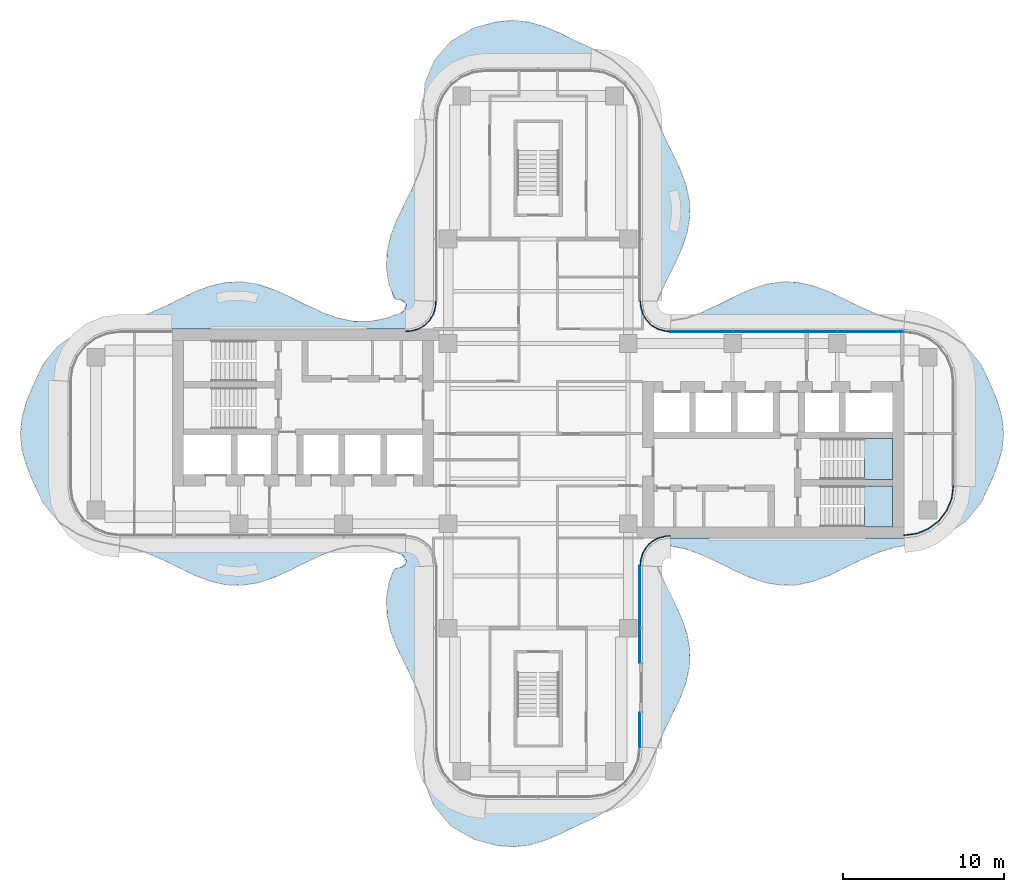
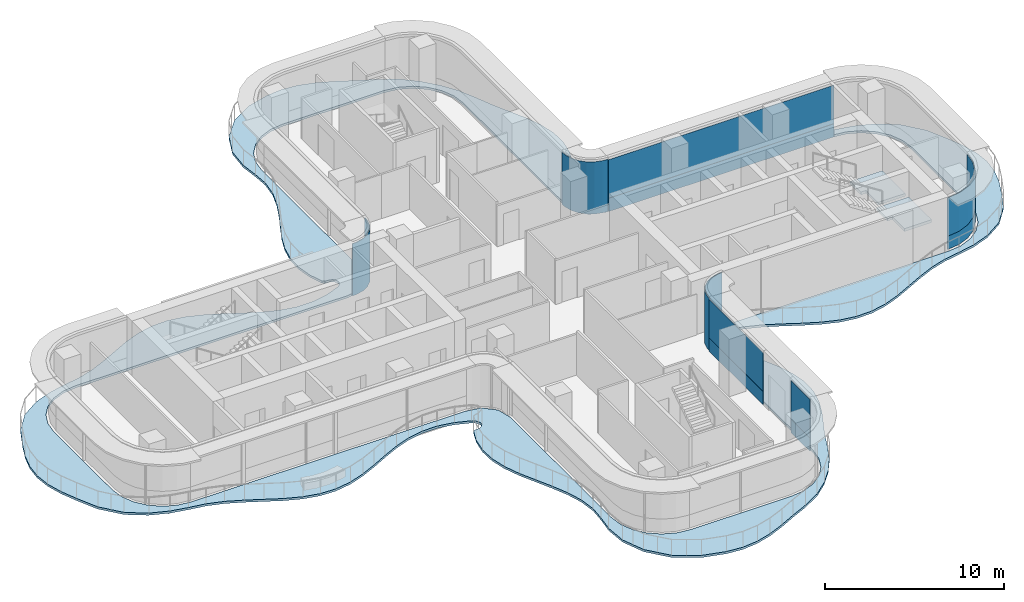
# One storey, part 9 of 16: 11 plates, 3 slabs, 9 elements without a shape of their own.
"""IFC4 building model written with IfcOpenShell, lengths in metres."""

from ifc_helpers import new_model, si_unit, direction, frame, origin, place, context, subcontext, project, spatial, polyline, outline, extrude, source, transform, mapped, material, layer, layer_set, type_object, element, aggregate, save


model = new_model("IFC4")

# Units and contexts
model_context = context("Model", 3, precision=1e-05, world=origin(), true_north=direction((0.0, 1.0)))
body_context = subcontext(model_context, "Body", "Model", "MODEL_VIEW")
ifc_project = project(units=[si_unit("LENGTHUNIT", "METRE"), si_unit("AREAUNIT", "SQUARE_METRE"), si_unit("VOLUMEUNIT", "CUBIC_METRE"), si_unit("PLANEANGLEUNIT", "RADIAN"), si_unit("MASSUNIT", "GRAM", prefix="KILO")], contexts=[model_context])

# Site, building, storey
site_placement = place(None, origin())
site = spatial("IfcSite", under=ifc_project, at=site_placement, CompositionType="ELEMENT")
building_placement = place(site_placement, origin())
building = spatial("IfcBuilding", under=site, at=building_placement, Name="Trellis Farm Tower", CompositionType="ELEMENT")
storey_placement = place(building_placement, frame((0.0, 0.0, 251.89990234375)))
storey = spatial("IfcBuildingStorey", under=building, at=storey_placement, Name="L56", CompositionType="ELEMENT", Elevation=251.89990234375)

# Slab
ifc_material_1 = material(Name="Concrete C40/50", Category="concrete")
ifc_layer_1 = layer(ifc_material_1, 0.14990234375)
ifc_layer_set_1 = layer_set([ifc_layer_1], Name="Balcony slab 150")
slab_type_1 = type_object("IfcSlabType", Name="Balcony slab 150", PredefinedType="FLOOR", material=ifc_layer_set_1)
slab_1_placement = place(storey_placement, frame((0.0, 0.0, -0.14990234375)))
element("IfcSlab", 1, at=slab_1_placement, inside=storey, type_object=slab_type_1, Name="Balcony slab", PredefinedType="FLOOR", context=body_context, shape_type="SweptSolid", body=[
    extrude(outline(polyline([(-19.423828125, -9.398681640625), (-20.391845703125, -9.178955078125), (-20.412109375, -9.172607421875), (-21.38720703125, -8.800048828125), (-21.3994140625, -8.794921875), (-23.370849609375, -7.833984375), (-23.373779296875, -7.832763671875), (-24.39111328125, -7.388916015625), (-24.399169921875, -7.385986328125), (-25.39013671875, -7.081787109375), (-25.3994140625, -7.07958984375), (-26.425537109375, -6.900634765625), (-26.430419921875, -6.899658203125), (-27.493896484375, -6.676025390625), (-27.51513671875, -6.669921875), (-28.620361328125, -6.260498046875), (-28.6494140625, -6.24609375), (-29.758544921875, -5.53271484375), (-29.792724609375, -5.502197265625), (-30.772216796875, -4.32373046875), (-30.79248046875, -4.2919921875), (-31.395751953125, -3.014892578125), (-31.398681640625, -3.00830078125), (-31.811767578125, -2.01025390625), (-31.8173828125, -1.993896484375), (-32.093017578125, -1.02392578125), (-32.097900390625, -0.998291015625), (-32.19677734375, -0.031982421875), (-32.197021484375, -0.00244140625), (-32.103515625, 0.9677734375), (-32.0986328125, 0.993896484375), (-31.82421875, 1.974609375), (-31.818359375, 1.9912109375), (-31.40234375, 3.0), (-31.399169921875, 3.00732421875), (-30.76904296875, 4.3291015625), (-30.7490234375, 4.360107421875), (-29.831787109375, 5.4677734375), (-29.798583984375, 5.497314453125), (-28.68359375, 6.228759765625), (-28.654052734375, 6.243896484375), (-27.515380859375, 6.669677734375), (-27.49365234375, 6.676025390625), (-26.430419921875, 6.899658203125), (-26.425537109375, 6.900634765625), (-25.3994140625, 7.07958984375), (-25.39013671875, 7.081787109375), (-24.399169921875, 7.385986328125), (-24.39111328125, 7.388916015625), (-23.373779296875, 7.832763671875), (-23.370849609375, 7.833984375), (-21.38623046875, 8.80029296875), (-21.374267578125, 8.8056640625), (-20.412109375, 9.1728515625), (-20.391845703125, 9.178955078125), (-19.42431640625, 9.398681640625), (-19.39599609375, 9.40234375), (-18.3955078125, 9.435546875), (-18.3662109375, 9.43359375), (-17.399658203125, 9.27294921875), (-17.37646484375, 9.26708984375), (-16.40380859375, 8.940185546875), (-16.389892578125, 8.9345703125), (-15.413818359375, 8.4921875), (-15.408935546875, 8.489990234375), (-14.40869140625, 7.990478515625), (-14.40673828125, 7.98974609375), (-13.403564453125, 7.5234375), (-13.397216796875, 7.520751953125), (-12.449462890625, 7.180419921875), (-12.438720703125, 7.177490234375), (-11.462890625, 6.98291015625), (-11.44873046875, 6.9814453125), (-10.46728515625, 6.97509765625), (-10.452880859375, 6.976318359375), (-9.46240234375, 7.1630859375), (-9.451171875, 7.166259765625), (-8.5517578125, 7.48828125), (-8.53271484375, 7.49853515625), (-8.390625, 7.603271484375), (-8.37548828125, 7.618408203125), (-8.285888671875, 7.736572265625), (-8.276123046875, 7.75390625), (-8.218994140625, 7.89599609375), (-8.21435546875, 7.93408203125), (-8.23486328125, 8.07421875), (-8.25244140625, 8.112060546875), (-8.372802734375, 8.248291015625), (-8.402587890625, 8.2685546875), (-8.5546875, 8.32470703125), (-8.57470703125, 8.3291015625), (-8.843994140625, 8.349853515625), (-8.973388671875, 8.447998046875), (-9.26513671875, 9.247802734375), (-9.272216796875, 9.2744140625), (-9.43359375, 10.2412109375), (-9.435546875, 10.2705078125), (-9.406494140625, 11.23828125), (-9.403076171875, 11.2666015625), (-9.18603515625, 12.242919921875), (-9.179931640625, 12.263427734375), (-8.8056640625, 13.2490234375), (-8.80029296875, 13.261474609375), (-7.833984375, 15.245849609375), (-7.832763671875, 15.24853515625), (-7.402587890625, 16.2294921875), (-7.399658203125, 16.237060546875), (-7.09521484375, 17.213134765625), (-7.09228515625, 17.225830078125), (-6.9560546875, 18.271484375), (-6.95556640625, 18.285888671875), (-7.020263671875, 19.252685546875), (-7.0205078125, 19.256591796875), (-7.1552734375, 20.361083984375), (-7.156005859375, 20.391845703125), (-7.041259765625, 21.7587890625), (-7.030517578125, 21.80322265625), (-6.46630859375, 23.173095703125), (-6.44091796875, 23.214111328125), (-5.42626953125, 24.385986328125), (-5.387939453125, 24.417724609375), (-3.98681640625, 25.227783203125), (-3.95068359375, 25.242919921875), (-2.64697265625, 25.593994140625), (-2.62255859375, 25.598388671875), (-1.622802734375, 25.69677734375), (-1.5927734375, 25.69677734375), (-0.626708984375, 25.597900390625), (-0.60107421875, 25.593017578125), (0.368896484375, 25.3173828125), (0.38623046875, 25.311279296875), (1.364990234375, 24.898681640625), (1.372802734375, 24.89501953125), (2.364501953125, 24.406494140625), (2.3662109375, 24.40576171875), (3.461181640625, 23.904296875), (3.471923828125, 23.898681640625), (4.580322265625, 23.27734375), (4.604736328125, 23.26025390625), (5.492919921875, 22.496337890625), (5.508544921875, 22.48095703125), (6.242919921875, 21.634033203125), (6.2548828125, 21.618408203125), (6.884765625, 20.6640625), (6.89599609375, 20.643798828125), (7.388671875, 19.56494140625), (7.390625, 19.560302734375), (7.833984375, 18.496337890625), (7.8359375, 18.4921875), (8.80029296875, 16.511474609375), (8.8056640625, 16.4990234375), (9.179931640625, 15.513427734375), (9.18603515625, 15.492919921875), (9.403076171875, 14.5166015625), (9.406494140625, 14.48828125), (9.435546875, 13.5205078125), (9.43359375, 13.4912109375), (9.27294921875, 12.524658203125), (9.26708984375, 12.50146484375), (8.940185546875, 11.52880859375), (8.9345703125, 11.514892578125), (8.4921875, 10.5390625), (8.489990234375, 10.533935546875), (7.99462890625, 9.5419921875), (7.993896484375, 9.540283203125), (7.5341796875, 8.554931640625), (7.531982421875, 8.5498046875), (7.302001953125, 7.9443359375), (7.297119140625, 7.91650390625), (7.30126953125, 7.685791015625), (7.30712890625, 7.658447265625), (7.438720703125, 7.34521484375), (7.44677734375, 7.330810546875), (7.521240234375, 7.225830078125), (7.54541015625, 7.2041015625), (7.65771484375, 7.1416015625), (7.673095703125, 7.135009765625), (8.11181640625, 7.0048828125), (8.12939453125, 7.001953125), (8.27880859375, 6.9951171875), (8.297119140625, 6.99658203125), (9.188232421875, 7.17724609375), (9.198974609375, 7.18017578125), (10.177001953125, 7.532958984375), (10.18310546875, 7.53564453125), (11.165283203125, 7.993896484375), (11.1669921875, 7.99462890625), (12.158935546875, 8.489990234375), (12.1640625, 8.4921875), (13.1396484375, 8.9345703125), (13.154052734375, 8.940185546875), (14.153564453125, 9.27392578125), (14.17724609375, 9.27978515625), (15.150390625, 9.435791015625), (15.179443359375, 9.437744140625), (16.146240234375, 9.402587890625), (16.173828125, 9.39892578125), (17.117919921875, 9.18603515625), (17.13818359375, 9.179931640625), (18.136962890625, 8.800048828125), (18.1494140625, 8.794677734375), (20.120849609375, 7.833984375), (20.123779296875, 7.832763671875), (21.14111328125, 7.388916015625), (21.149169921875, 7.385986328125), (22.14013671875, 7.081787109375), (22.1494140625, 7.07958984375), (23.175537109375, 6.900634765625), (23.180419921875, 6.899658203125), (24.243896484375, 6.676025390625), (24.26513671875, 6.669921875), (25.370361328125, 6.260498046875), (25.3994140625, 6.24609375), (26.508544921875, 5.53271484375), (26.542724609375, 5.502197265625), (27.522216796875, 4.32373046875), (27.54248046875, 4.2919921875), (28.145751953125, 3.014892578125), (28.148681640625, 3.00830078125), (28.561767578125, 2.01025390625), (28.5673828125, 1.993896484375), (28.843017578125, 1.024169921875), (28.847900390625, 0.998046875), (28.94677734375, -0.002197265625), (28.94677734375, -0.0322265625), (28.847900390625, -0.998291015625), (28.843017578125, -1.02392578125), (28.5673828125, -1.993896484375), (28.561767578125, -2.01025390625), (28.148681640625, -3.00830078125), (28.145751953125, -3.014892578125), (27.542236328125, -4.292236328125), (27.5224609375, -4.323486328125), (26.58203125, -5.46728515625), (26.548095703125, -5.49755859375), (25.39990234375, -6.245849609375), (25.3701171875, -6.2607421875), (24.26513671875, -6.669921875), (24.243896484375, -6.676025390625), (23.180419921875, -6.899658203125), (23.175537109375, -6.900634765625), (22.1494140625, -7.07958984375), (22.14013671875, -7.081787109375), (21.149169921875, -7.385986328125), (21.14111328125, -7.388916015625), (20.123779296875, -7.832763671875), (20.120849609375, -7.833984375), (18.136474609375, -8.80029296875), (18.1240234375, -8.8056640625), (17.138427734375, -9.179931640625), (17.117919921875, -9.18603515625), (16.1416015625, -9.403076171875), (16.11328125, -9.406494140625), (15.1455078125, -9.435546875), (15.1162109375, -9.43359375), (14.149658203125, -9.27294921875), (14.12646484375, -9.26708984375), (13.15380859375, -8.940185546875), (13.139892578125, -8.9345703125), (12.1640625, -8.4921875), (12.158935546875, -8.489990234375), (11.1669921875, -7.99462890625), (11.165283203125, -7.993896484375), (10.18310546875, -7.53564453125), (10.1767578125, -7.532958984375), (9.148681640625, -7.166259765625), (9.13818359375, -7.163330078125), (8.296875, -6.99658203125), (8.27880859375, -6.9951171875), (8.12939453125, -7.001953125), (8.11181640625, -7.0048828125), (7.673095703125, -7.135009765625), (7.65771484375, -7.1416015625), (7.54541015625, -7.2041015625), (7.521240234375, -7.225830078125), (7.44677734375, -7.330810546875), (7.438720703125, -7.34521484375), (7.30712890625, -7.658447265625), (7.30126953125, -7.685791015625), (7.297119140625, -7.91650390625), (7.302001953125, -7.9443359375), (7.531982421875, -8.5498046875), (7.5341796875, -8.554931640625), (7.993896484375, -9.540283203125), (7.99462890625, -9.5419921875), (8.48974609375, -10.53369140625), (8.4921875, -10.5390625), (8.941162109375, -11.531494140625), (8.94677734375, -11.54541015625), (9.26708984375, -12.501708984375), (9.27294921875, -12.524658203125), (9.43359375, -13.4912109375), (9.435546875, -13.5205078125), (9.40234375, -14.52099609375), (9.398681640625, -14.54931640625), (9.178955078125, -15.516845703125), (9.172607421875, -15.537109375), (8.800048828125, -16.51220703125), (8.794921875, -16.5244140625), (7.8359375, -18.4921875), (7.833984375, -18.496337890625), (7.390625, -19.560302734375), (7.388671875, -19.56494140625), (6.89599609375, -20.643798828125), (6.884765625, -20.6640625), (6.2548828125, -21.618408203125), (6.242919921875, -21.634033203125), (5.508544921875, -22.48095703125), (5.492919921875, -22.496337890625), (4.604736328125, -23.26025390625), (4.580322265625, -23.27734375), (3.471923828125, -23.898681640625), (3.461181640625, -23.904296875), (2.3662109375, -24.40576171875), (2.364501953125, -24.406494140625), (1.372802734375, -24.89501953125), (1.364990234375, -24.898681640625), (0.38623046875, -25.311279296875), (0.368896484375, -25.3173828125), (-0.60107421875, -25.593017578125), (-0.626708984375, -25.597900390625), (-1.593017578125, -25.69677734375), (-1.62255859375, -25.697021484375), (-2.59521484375, -25.603515625), (-2.619384765625, -25.59912109375), (-3.95068359375, -25.242919921875), (-3.98681640625, -25.227783203125), (-5.387451171875, -24.41796875), (-5.426513671875, -24.385498046875), (-6.470458984375, -23.166015625), (-6.495849609375, -23.1240234375), (-7.043212890625, -21.751708984375), (-7.05322265625, -21.707763671875), (-7.156005859375, -20.391357421875), (-7.1552734375, -20.361572265625), (-7.0205078125, -19.256591796875), (-7.020263671875, -19.252685546875), (-6.95556640625, -18.285888671875), (-6.9560546875, -18.271484375), (-7.09228515625, -17.225830078125), (-7.09521484375, -17.213134765625), (-7.399658203125, -16.237060546875), (-7.402587890625, -16.2294921875), (-7.832763671875, -15.24853515625), (-7.833984375, -15.245849609375), (-8.80029296875, -13.261474609375), (-8.8056640625, -13.2490234375), (-9.179931640625, -12.263427734375), (-9.18603515625, -12.242919921875), (-9.403076171875, -11.2666015625), (-9.406494140625, -11.23828125), (-9.435546875, -10.2705078125), (-9.43359375, -10.2412109375), (-9.272216796875, -9.2744140625), (-9.26513671875, -9.247802734375), (-8.973388671875, -8.447998046875), (-8.843994140625, -8.349853515625), (-8.57470703125, -8.3291015625), (-8.5546875, -8.32470703125), (-8.402587890625, -8.2685546875), (-8.372802734375, -8.248291015625), (-8.25244140625, -8.112060546875), (-8.23486328125, -8.07421875), (-8.21435546875, -7.93408203125), (-8.218994140625, -7.89599609375), (-8.276123046875, -7.75390625), (-8.285888671875, -7.736572265625), (-8.37548828125, -7.618408203125), (-8.390625, -7.603271484375), (-8.53271484375, -7.49853515625), (-8.5517578125, -7.48828125), (-9.451171875, -7.166259765625), (-9.46240234375, -7.1630859375), (-10.452880859375, -6.976318359375), (-10.46728515625, -6.97509765625), (-11.44873046875, -6.9814453125), (-11.462890625, -6.98291015625), (-12.438720703125, -7.177490234375), (-12.449462890625, -7.180419921875), (-13.397216796875, -7.520751953125), (-13.403564453125, -7.5234375), (-14.40673828125, -7.98974609375), (-14.40869140625, -7.990478515625), (-15.408935546875, -8.489990234375), (-15.413818359375, -8.4921875), (-16.389892578125, -8.9345703125), (-16.40380859375, -8.940185546875), (-17.376220703125, -9.26708984375), (-17.39990234375, -9.27294921875), (-18.400146484375, -9.435791015625), (-18.4296875, -9.437744140625), (-19.39599609375, -9.402587890625), (-19.423828125, -9.398681640625)]), holes=[polyline([(-6.794921875, 7.27783203125), (-7.40673828125, 6.7138671875), (-7.4423828125, 6.689453125), (-7.49072265625, 6.665771484375), (-7.53173828125, 6.65234375), (-8.406494140625, 6.50439453125), (-8.431396484375, 6.50244140625), (-21.205810546875, 6.50048828125), (-26.0, 6.50048828125), (-26.84130859375, 6.389892578125), (-27.625244140625, 6.065185546875), (-28.298583984375, 5.548583984375), (-28.815185546875, 4.875244140625), (-29.139892578125, 4.09130859375), (-29.25048828125, 3.25), (-29.25048828125, -3.25), (-29.139892578125, -4.09130859375), (-28.815185546875, -4.875244140625), (-28.298583984375, -5.548583984375), (-27.625244140625, -6.065185546875), (-26.84130859375, -6.389892578125), (-26.0, -6.50048828125), (-8.453125, -6.50048828125), (-8.435791015625, -6.501953125), (-7.531982421875, -6.652587890625), (-7.490478515625, -6.665771484375), (-7.4423828125, -6.689453125), (-7.40673828125, -6.7138671875), (-6.794921875, -7.27783203125), (-6.767578125, -7.311279296875), (-6.740234375, -7.357421875), (-6.723388671875, -7.398193359375), (-6.50439453125, -8.28369140625), (-6.50048828125, -8.31494140625), (-6.50048828125, -19.5), (-6.389892578125, -20.34130859375), (-6.065185546875, -21.125244140625), (-5.548583984375, -21.798583984375), (-4.875244140625, -22.315185546875), (-4.09130859375, -22.639892578125), (-3.25, -22.75048828125), (3.25, -22.75048828125), (4.09130859375, -22.639892578125), (4.875244140625, -22.315185546875), (5.548583984375, -21.798583984375), (6.065185546875, -21.125244140625), (6.389892578125, -20.34130859375), (6.50048828125, -19.5), (6.50048828125, -14.017822265625), (6.50146484375, -8.5390625), (6.50244140625, -8.5205078125), (6.61474609375, -7.626708984375), (6.62548828125, -7.5869140625), (6.6455078125, -7.539306640625), (6.66650390625, -7.50390625), (7.1875, -6.853515625), (7.22021484375, -6.8232421875), (7.265380859375, -6.79248046875), (7.306640625, -6.772705078125), (8.177734375, -6.510009765625), (8.220947265625, -6.503662109375), (19.881591796875, -6.50048828125), (22.75, -6.50048828125), (23.59130859375, -6.389892578125), (24.375244140625, -6.065185546875), (25.048583984375, -5.548583984375), (25.565185546875, -4.875244140625), (25.889892578125, -4.09130859375), (26.00048828125, -3.25), (26.00048828125, 3.25), (25.889892578125, 4.09130859375), (25.565185546875, 4.875244140625), (25.048583984375, 5.548583984375), (24.375244140625, 6.065185546875), (23.59130859375, 6.389892578125), (22.75, 6.50048828125), (19.881591796875, 6.50048828125), (8.220947265625, 6.503662109375), (8.177734375, 6.510009765625), (7.306640625, 6.772705078125), (7.265380859375, 6.79248046875), (7.22021484375, 6.8232421875), (7.1875, 6.853515625), (6.66650390625, 7.50390625), (6.6455078125, 7.539306640625), (6.62548828125, 7.5869140625), (6.61474609375, 7.626953125), (6.501220703125, 8.542236328125), (6.50048828125, 8.551025390625), (6.50048828125, 19.5), (6.389892578125, 20.34130859375), (6.065185546875, 21.125244140625), (5.548583984375, 21.798583984375), (4.875244140625, 22.315185546875), (4.09130859375, 22.639892578125), (3.25, 22.75048828125), (-3.25, 22.75048828125), (-4.09130859375, 22.639892578125), (-4.875244140625, 22.315185546875), (-5.548583984375, 21.798583984375), (-6.065185546875, 21.125244140625), (-6.389892578125, 20.34130859375), (-6.50048828125, 19.5), (-6.50048828125, 8.31494140625), (-6.50439453125, 8.28369140625), (-6.723388671875, 7.398193359375), (-6.740234375, 7.357421875), (-6.767578125, 7.311279296875), (-6.794921875, 7.27783203125)])]), origin(), (0.0, 0.0, 1.0), 0.14990234375),
])

# Stair, slab
ifc_material_2 = material(Name="Concrete C50/60", Category="concrete")
stair_type = type_object("IfcStairType", Name="CORE EXIT STAIR 22 RISERS 177 MM", PredefinedType="HALF_TURN_STAIR", material=ifc_material_2)
placement_1 = place(storey_placement, origin())
stair_1 = element("IfcStair", 2, at=placement_1, inside=storey, type_object=stair_type, Name="Exit stair E1", PredefinedType="HALF_TURN_STAIR")
ifc_layer_2 = layer(ifc_material_2, 0.18994140625)
ifc_layer_set_2 = layer_set([ifc_layer_2], Name="CORE STAIR LANDING 190 CONCRETE C50/60")
slab_type_2 = type_object("IfcSlabType", Name="CORE STAIR LANDING 190 CONCRETE C50/60", PredefinedType="LANDING", material=ifc_layer_set_2)
shared_shape_1 = source(origin(), body_context, "Body", "SweptSolid", [
    extrude(outline(polyline([(20.2900390625, -5.800048828125), (20.2900390625, -4.60009765625), (20.300048828125, -4.60009765625), (20.300048828125, -4.449951171875), (19.971923828125, -4.449951171875), (19.971923828125, -3.25), (20.300048828125, -3.25), (22.050048828125, -3.25), (22.050048828125, -5.800048828125), (20.300048828125, -5.800048828125), (20.2900390625, -5.800048828125)])), origin(), (0.0, 0.0, 1.0), 0.190185546875),
])
placement_2 = place(storey_placement, frame((0.0, 0.0, 1.760009765625)))
slab_2 = element("IfcSlab", 3, at=placement_2, type_object=slab_type_2, Name="STE1 landing 1", PredefinedType="LANDING", context=body_context, shape_type="MappedRepresentation", body=[
    mapped(shared_shape_1, transform((0.0, 0.0, 0.0))),
])
aggregate(stair_1, [slab_2])

stair_2 = element("IfcStair", 4, at=placement_1, inside=storey, type_object=stair_type, Name="Exit stair E2", PredefinedType="HALF_TURN_STAIR")
shared_shape_2 = source(origin(), body_context, "Body", "SweptSolid", [
    extrude(outline(polyline([(20.2900390625, -2.85009765625), (20.2900390625, -1.64990234375), (20.300048828125, -1.64990234375), (20.300048828125, -1.5), (19.971923828125, -1.5), (19.971923828125, -0.300048828125), (20.300048828125, -0.300048828125), (22.050048828125, -0.300048828125), (22.050048828125, -2.85009765625), (20.300048828125, -2.85009765625), (20.2900390625, -2.85009765625)])), origin(), (0.0, 0.0, 1.0), 0.190185546875),
])
slab_3 = element("IfcSlab", 5, at=placement_2, type_object=slab_type_2, Name="STE2 landing 1", PredefinedType="LANDING", context=body_context, shape_type="MappedRepresentation", body=[
    mapped(shared_shape_2, transform((0.0, 0.0, 0.0))),
])
aggregate(stair_2, [slab_3])

# Curtain wall, plate
ifc_material_3 = material(Name="Aluminium and glass curtain wall", Category="aluminium")
ifc_layer_3 = layer(ifc_material_3, 0.166015625)
ifc_layer_set_3 = layer_set([ifc_layer_3], Name="WINTER GARDEN CURTAIN WALL CW3")
curtain_wall_type_1 = type_object("IfcCurtainWallType", Name="WINTER GARDEN CURTAIN WALL CW3", PredefinedType="NOTDEFINED", material=ifc_layer_set_3)
curtain_wall_1 = element("IfcCurtainWall", 6, at=placement_1, inside=storey, type_object=curtain_wall_type_1, Name="CW3 002", PredefinedType="NOTDEFINED")
ifc_material_4 = material(Name="Clear insulated glass", Category="glass")
ifc_layer_4 = layer(ifc_material_4, 0.0458984375)
ifc_layer_set_4 = layer_set([ifc_layer_4], Name="CW3 GLASS PANEL 46")
plate_type_1 = type_object("IfcPlateType", Name="CW3 GLASS PANEL 46", PredefinedType="CURTAIN_PANEL", material=ifc_layer_set_4)
shared_shape_3 = source(origin(), body_context, "Body", "SweptSolid", [
    extrude(outline(polyline([(6.3798828125, -8.2275390625), (6.394287109375, -8.0078125), (6.40966796875, -7.89208984375), (6.52490234375, -7.462158203125), (6.7509765625, -7.070556640625), (7.070556640625, -6.7509765625), (7.462158203125, -6.52490234375), (7.89208984375, -6.40966796875), (8.0078125, -6.394287109375), (8.2275390625, -6.3798828125), (8.22607421875, -6.333984375), (8.003173828125, -6.3486328125), (7.883056640625, -6.364501953125), (7.4443359375, -6.48193359375), (7.04248046875, -6.714111328125), (6.714111328125, -7.04248046875), (6.48193359375, -7.4443359375), (6.364501953125, -7.883056640625), (6.3486328125, -8.003173828125), (6.333984375, -8.22607421875), (6.3798828125, -8.2275390625)])), origin(), (0.0, 0.0, 1.0), 3.550048828125),
])
plate_1 = element("IfcPlate", 7, at=placement_1, type_object=plate_type_1, Name="PL3 002", PredefinedType="CURTAIN_PANEL", context=body_context, shape_type="MappedRepresentation", body=[
    mapped(shared_shape_3, transform((0.0, 0.0, 0.0))),
])
aggregate(curtain_wall_1, [plate_1])

curtain_wall_2 = element("IfcCurtainWall", 8, at=placement_1, inside=storey, type_object=curtain_wall_type_1, Name="CW3 003", PredefinedType="NOTDEFINED")
shared_shape_4 = source(origin(), body_context, "Body", "SweptSolid", [
    extrude(outline(polyline([(8.2275390625, 6.3798828125), (8.0078125, 6.394287109375), (7.89208984375, 6.40966796875), (7.462158203125, 6.52490234375), (7.070556640625, 6.7509765625), (6.7509765625, 7.070556640625), (6.52490234375, 7.462158203125), (6.40966796875, 7.89208984375), (6.394287109375, 8.0078125), (6.3798828125, 8.2275390625), (6.333984375, 8.22607421875), (6.3486328125, 8.003173828125), (6.364501953125, 7.883056640625), (6.48193359375, 7.4443359375), (6.714111328125, 7.04248046875), (7.04248046875, 6.714111328125), (7.4443359375, 6.48193359375), (7.883056640625, 6.364501953125), (8.003173828125, 6.3486328125), (8.22607421875, 6.333984375), (8.2275390625, 6.3798828125)])), origin(), (0.0, 0.0, 1.0), 3.550048828125),
])
plate_2 = element("IfcPlate", 9, at=placement_1, type_object=plate_type_1, Name="PL3 003", PredefinedType="CURTAIN_PANEL", context=body_context, shape_type="MappedRepresentation", body=[
    mapped(shared_shape_4, transform((0.0, 0.0, 0.0))),
])
aggregate(curtain_wall_2, [plate_2])

curtain_wall_3 = element("IfcCurtainWall", 10, at=placement_1, inside=storey, type_object=curtain_wall_type_1, Name="CW3 004", PredefinedType="NOTDEFINED")
shared_shape_5 = source(origin(), body_context, "Body", "SweptSolid", [
    extrude(outline(polyline([(-6.3798828125, 8.2275390625), (-6.394287109375, 8.0078125), (-6.40966796875, 7.89208984375), (-6.52490234375, 7.462158203125), (-6.7509765625, 7.070556640625), (-7.070556640625, 6.7509765625), (-7.462158203125, 6.52490234375), (-7.89208984375, 6.40966796875), (-8.0078125, 6.394287109375), (-8.2275390625, 6.3798828125), (-8.22607421875, 6.333984375), (-8.003173828125, 6.3486328125), (-7.883056640625, 6.364501953125), (-7.4443359375, 6.48193359375), (-7.04248046875, 6.714111328125), (-6.714111328125, 7.04248046875), (-6.48193359375, 7.4443359375), (-6.364501953125, 7.883056640625), (-6.3486328125, 8.003173828125), (-6.333984375, 8.22607421875), (-6.3798828125, 8.2275390625)])), origin(), (0.0, 0.0, 1.0), 3.550048828125),
])
plate_3 = element("IfcPlate", 11, at=placement_1, type_object=plate_type_1, Name="PL3 004", PredefinedType="CURTAIN_PANEL", context=body_context, shape_type="MappedRepresentation", body=[
    mapped(shared_shape_5, transform((0.0, 0.0, 0.0))),
])
aggregate(curtain_wall_3, [plate_3])

# Curtain wall, plates
ifc_layer_5 = layer(ifc_material_3, 0.18994140625)
ifc_layer_set_5 = layer_set([ifc_layer_5], Name="RIBBON CURTAIN WALL CW1")
curtain_wall_type_2 = type_object("IfcCurtainWallType", Name="RIBBON CURTAIN WALL CW1", PredefinedType="NOTDEFINED", material=ifc_layer_set_5)
curtain_wall_4 = element("IfcCurtainWall", 12, at=placement_1, inside=storey, type_object=curtain_wall_type_2, Name="CW1 006", PredefinedType="NOTDEFINED")
ifc_layer_6 = layer(ifc_material_4, 0.0400390625)
ifc_layer_set_6 = layer_set([ifc_layer_6], Name="CW1 GLASS PANEL 40")
plate_type_2 = type_object("IfcPlateType", Name="CW1 GLASS PANEL 40", PredefinedType="CURTAIN_PANEL", material=ifc_layer_set_6)
shared_shape_6 = source(origin(), body_context, "Body", "SweptSolid", [
    extrude(outline(polyline([(22.740234375, -6.35009765625), (23.552001953125, -6.2431640625), (24.29931640625, -5.93359375), (24.941162109375, -5.441162109375), (25.43359375, -4.79931640625), (25.7431640625, -4.052001953125), (25.85009765625, -3.240234375), (25.81005859375, -3.237548828125), (25.7041015625, -4.04150390625), (25.398681640625, -4.779296875), (24.91259765625, -5.41259765625), (24.279296875, -5.898681640625), (23.54150390625, -6.2041015625), (22.737548828125, -6.31005859375), (22.740234375, -6.35009765625)])), origin(), (0.0, 0.0, 1.0), 2.619873046875),
])
placement_3 = place(storey_placement, frame((0.0, 0.0, 0.900146484375)))
plate_4 = element("IfcPlate", 13, at=placement_3, type_object=plate_type_2, Name="PL1 006", PredefinedType="CURTAIN_PANEL", context=body_context, shape_type="MappedRepresentation", body=[
    mapped(shared_shape_6, transform((0.0, 0.0, 0.0))),
])
ifc_material_5 = material(Name="Sandstone faced insulated panel", Category="masonry")
ifc_layer_7 = layer(ifc_material_5, 0.050048828125)
ifc_layer_set_7 = layer_set([ifc_layer_7], Name="CW1 STONE SPANDREL PANEL 50")
plate_type_3 = type_object("IfcPlateType", Name="CW1 STONE SPANDREL PANEL 50", PredefinedType="CURTAIN_PANEL", material=ifc_layer_set_7)
shared_shape_7 = source(origin(), body_context, "Body", "SweptSolid", [
    extrude(outline(polyline([(22.740234375, -6.35009765625), (23.552001953125, -6.2431640625), (24.29931640625, -5.93359375), (24.941162109375, -5.441162109375), (25.43359375, -4.79931640625), (25.7431640625, -4.052001953125), (25.85009765625, -3.240234375), (25.800048828125, -3.23681640625), (25.6943359375, -4.0390625), (25.389892578125, -4.774169921875), (24.905517578125, -5.405517578125), (24.274169921875, -5.889892578125), (23.5390625, -6.1943359375), (22.73681640625, -6.300048828125), (22.740234375, -6.35009765625)])), origin(), (0.0, 0.0, 1.0), 0.900146484375),
])
plate_5 = element("IfcPlate", 14, at=placement_1, type_object=plate_type_3, Name="PS1 006", PredefinedType="CURTAIN_PANEL", context=body_context, shape_type="MappedRepresentation", body=[
    mapped(shared_shape_7, transform((0.0, 0.0, 0.0))),
])
aggregate(curtain_wall_4, [plate_4, plate_5])

curtain_wall_5 = element("IfcCurtainWall", 15, at=placement_1, inside=storey, type_object=curtain_wall_type_2, Name="CW1 008", PredefinedType="NOTDEFINED")
shared_shape_8 = source(origin(), body_context, "Body", "SweptSolid", [
    extrude(outline(polyline([(22.740234375, 6.35009765625), (8.2265625, 6.35009765625), (8.22509765625, 6.31005859375), (22.737548828125, 6.31005859375), (22.740234375, 6.35009765625)])), origin(), (0.0, 0.0, 1.0), 2.619873046875),
])
plate_6 = element("IfcPlate", 16, at=placement_3, type_object=plate_type_2, Name="PL1 008", PredefinedType="CURTAIN_PANEL", context=body_context, shape_type="MappedRepresentation", body=[
    mapped(shared_shape_8, transform((0.0, 0.0, 0.0))),
])
shared_shape_9 = source(origin(), body_context, "Body", "SweptSolid", [
    extrude(outline(polyline([(22.740234375, 6.35009765625), (8.2265625, 6.35009765625), (8.224853515625, 6.300048828125), (22.73681640625, 6.300048828125), (22.740234375, 6.35009765625)])), origin(), (0.0, 0.0, 1.0), 0.900146484375),
])
plate_7 = element("IfcPlate", 17, at=placement_1, type_object=plate_type_3, Name="PS1 008", PredefinedType="CURTAIN_PANEL", context=body_context, shape_type="MappedRepresentation", body=[
    mapped(shared_shape_9, transform((0.0, 0.0, 0.0))),
])
aggregate(curtain_wall_5, [plate_6, plate_7])

curtain_wall_6 = element("IfcCurtainWall", 18, at=placement_1, inside=storey, type_object=curtain_wall_type_2, Name="CW1 004", PredefinedType="NOTDEFINED")
shared_shape_10 = source(origin(), body_context, "Body", "SweptSolid", [
    extrude(outline(polyline([(6.35009765625, -19.490234375), (6.35009765625, -17.360107421875), (6.31005859375, -17.360107421875), (6.31005859375, -19.487548828125), (6.35009765625, -19.490234375)])), origin(), (0.0, 0.0, 1.0), 2.619873046875),
])
plate_8 = element("IfcPlate", 19, at=placement_3, type_object=plate_type_2, Name="PL1 004", PredefinedType="CURTAIN_PANEL", context=body_context, shape_type="MappedRepresentation", body=[
    mapped(shared_shape_10, transform((0.0, 0.0, 0.0))),
])
shared_shape_11 = source(origin(), body_context, "Body", "SweptSolid", [
    extrude(outline(polyline([(6.35009765625, -19.490234375), (6.35009765625, -17.360107421875), (6.300048828125, -17.360107421875), (6.300048828125, -19.48681640625), (6.35009765625, -19.490234375)])), origin(), (0.0, 0.0, 1.0), 0.900146484375),
])
plate_9 = element("IfcPlate", 20, at=placement_1, type_object=plate_type_3, Name="PS1 004", PredefinedType="CURTAIN_PANEL", context=body_context, shape_type="MappedRepresentation", body=[
    mapped(shared_shape_11, transform((0.0, 0.0, 0.0))),
])
aggregate(curtain_wall_6, [plate_8, plate_9])

curtain_wall_7 = element("IfcCurtainWall", 21, at=placement_1, inside=storey, type_object=curtain_wall_type_2, Name="CW1 005", PredefinedType="NOTDEFINED")
shared_shape_12 = source(origin(), body_context, "Body", "SweptSolid", [
    extrude(outline(polyline([(6.35009765625, -14.239990234375), (6.35009765625, -8.2265625), (6.31005859375, -8.22509765625), (6.31005859375, -14.239990234375), (6.35009765625, -14.239990234375)])), origin(), (0.0, 0.0, 1.0), 2.619873046875),
])
plate_10 = element("IfcPlate", 22, at=placement_3, type_object=plate_type_2, Name="PL1 005", PredefinedType="CURTAIN_PANEL", context=body_context, shape_type="MappedRepresentation", body=[
    mapped(shared_shape_12, transform((0.0, 0.0, 0.0))),
])
shared_shape_13 = source(origin(), body_context, "Body", "SweptSolid", [
    extrude(outline(polyline([(6.35009765625, -14.239990234375), (6.35009765625, -8.2265625), (6.300048828125, -8.224853515625), (6.300048828125, -14.239990234375), (6.35009765625, -14.239990234375)])), origin(), (0.0, 0.0, 1.0), 0.900146484375),
])
plate_11 = element("IfcPlate", 23, at=placement_1, type_object=plate_type_3, Name="PS1 005", PredefinedType="CURTAIN_PANEL", context=body_context, shape_type="MappedRepresentation", body=[
    mapped(shared_shape_13, transform((0.0, 0.0, 0.0))),
])
aggregate(curtain_wall_7, [plate_10, plate_11])

save(model, "model.ifc")
